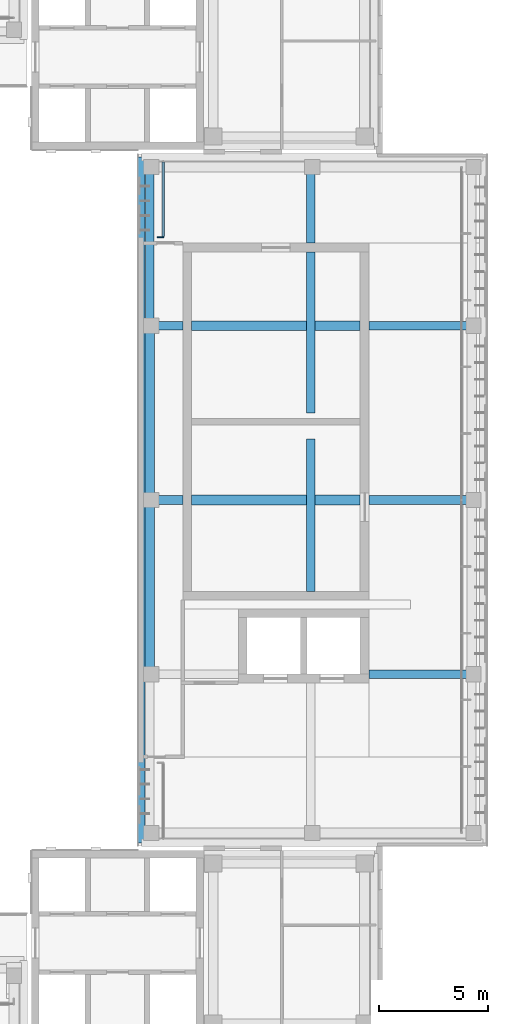
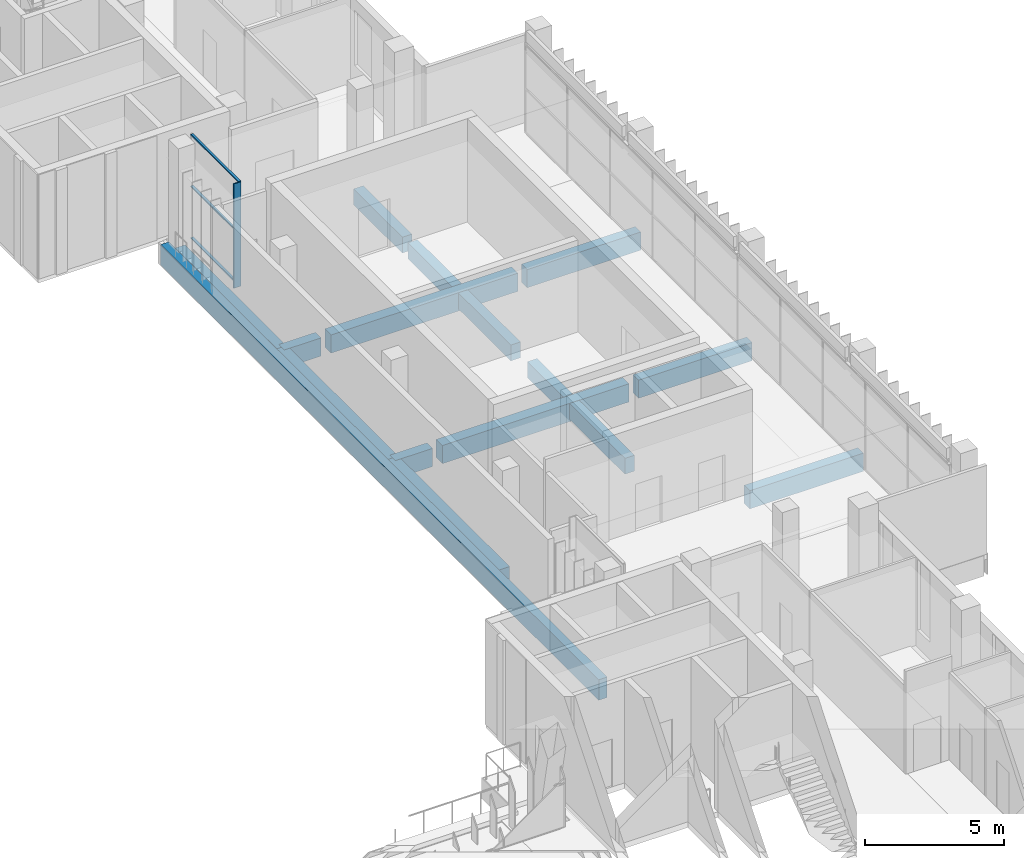
# One storey, part 28 of 73: 14 beams, 4 members, 1 element without a shape of its own.
"""IFC4 building model written with IfcOpenShell, lengths in metres."""

import ifcopenshell
import ifcopenshell.guid

model = None  # the IFC model being written
_history = None  # IfcOwnerHistory: only IFC2X3 demands one
_inside = {}  # id of a spatial element -> (the spatial element, [elements in it])
_under = {}  # id of a project, library or spatial element -> (it, [spatial elements below it])
_declared = {}  # id of a project -> (the project, [libraries it declares])
_typed = {}  # id of a type object -> (the type object, [elements of that type])
_made_of = {}  # id of a material, layer set ... -> (it, [elements and type objects made of it])


def new_model(schema):
    """Start an empty IFC model of exactly this schema.

    Asked for "IFC4X3", IfcOpenShell would pick the latest addendum, in which some entities
    have other attributes; the version numbers below select the first issue.
    IFC2X3 requires an IfcOwnerHistory on every rooted entity: one is made here for all.
    """
    global model, _history
    if schema == "IFC4X3":
        model = ifcopenshell.file(schema_version=(4, 3, 0, 0))
    else:
        model = ifcopenshell.file(schema=schema)
    _inside.clear()
    _under.clear()
    _declared.clear()
    _typed.clear()
    _made_of.clear()
    _history = None
    if model.schema == "IFC2X3":
        org = make("IfcOrganization", Name="unknown")
        user = make(
            "IfcPersonAndOrganization",
            ThePerson=make("IfcPerson", FamilyName="unknown"),
            TheOrganization=org,
        )
        app = make(
            "IfcApplication",
            ApplicationDeveloper=org,
            Version="unknown",
            ApplicationFullName="unknown",
            ApplicationIdentifier="unknown",
        )
        _history = make(
            "IfcOwnerHistory",
            OwningUser=user,
            OwningApplication=app,
            ChangeAction="ADDED",
            CreationDate=0,
        )
    return model


def make(cls, **values):
    """One entity of the class cls with the attributes given. An attribute that is None is left unset."""
    return model.create_entity(
        cls, **{name: value for name, value in values.items() if value is not None}
    )


def rooted(cls, **values):
    """An entity with a GlobalId (a new one), such as an element, a storey or a relation."""
    return make(cls, GlobalId=ifcopenshell.guid.new(), OwnerHistory=_history, **values)


def si_unit(unit_type, name, prefix=None):
    """IfcSIUnit, for example si_unit("LENGTHUNIT", "METRE", prefix="MILLI")."""
    return make("IfcSIUnit", UnitType=unit_type, Prefix=prefix, Name=name)


def assignment(units):
    """IfcUnitAssignment: the units of a project."""
    return None if units is None else make("IfcUnitAssignment", Units=units)


def point(xyz):
    """IfcCartesianPoint."""
    return None if xyz is None else make("IfcCartesianPoint", Coordinates=xyz)


def direction(xyz):
    """IfcDirection."""
    return None if xyz is None else make("IfcDirection", DirectionRatios=xyz)


def frame(location, z_axis=None, x_axis=None):
    """IfcAxis2Placement3D, a coordinate frame: its origin and axes. An axis left out is left unset."""
    return make(
        "IfcAxis2Placement3D",
        Location=point(location),
        Axis=direction(z_axis),
        RefDirection=direction(x_axis),
    )


def frame_2d(location, x_axis=None):
    """IfcAxis2Placement2D, a coordinate frame in the plane: its origin and x axis."""
    return make(
        "IfcAxis2Placement2D", Location=point(location), RefDirection=direction(x_axis)
    )


def origin():
    """The frame at (0, 0, 0) with its axes left unset."""
    return frame((0.0, 0.0, 0.0))


def origin_2d():
    """The frame at (0, 0) in the plane with its x axis left unset."""
    return frame_2d((0.0, 0.0))


def place(relative_to, where):
    """IfcLocalPlacement: puts the frame where relative to a parent placement (None: the world)."""
    return make(
        "IfcLocalPlacement", PlacementRelTo=relative_to, RelativePlacement=where
    )


def context(
    kind, dimensions, precision=None, world=None, true_north=None, identifier=None
):
    """IfcGeometricRepresentationContext, for example the 3D "Model" context."""
    return make(
        "IfcGeometricRepresentationContext",
        ContextIdentifier=identifier,
        ContextType=kind,
        CoordinateSpaceDimension=dimensions,
        Precision=precision,
        WorldCoordinateSystem=world,
        TrueNorth=true_north,
    )


def subcontext(parent, identifier, kind, view, scale=None):
    """IfcGeometricRepresentationSubContext, for example "Body" below "Model"."""
    return make(
        "IfcGeometricRepresentationSubContext",
        ContextIdentifier=identifier,
        ContextType=kind,
        ParentContext=parent,
        TargetScale=scale,
        TargetView=view,
    )


def project(units=None, contexts=None):
    """IfcProject with its units and contexts."""
    return rooted(
        "IfcProject",
        Name="project",
        RepresentationContexts=contexts,
        UnitsInContext=assignment(units),
    )


def spatial(cls, under=None, at=None, **own):
    """A site, building, storey or space (cls), placed at a placement, below another one or the project."""
    s = rooted(cls, ObjectPlacement=at, **own)
    if under is not None:
        _under.setdefault(under.id(), (under, []))[1].append(s)
    return s


def profile(cls, at=None, kind="AREA", **sizes):
    """A parametric profile (cls). Its sizes go by their IFC names, for example OverallWidth=200.0."""
    return make(cls, ProfileType=kind, Position=at, **sizes)


def rectangle(**sizes):
    """IfcRectangleProfileDef."""
    return profile("IfcRectangleProfileDef", **sizes)


def extrude(swept, where, along, depth):
    """IfcExtrudedAreaSolid: the profile swept, set in the frame where, extruded along a direction by depth."""
    return make(
        "IfcExtrudedAreaSolid",
        SweptArea=swept,
        Position=where,
        ExtrudedDirection=direction(along),
        Depth=depth,
    )


def shape(context_of_items, identifier, shape_type, items):
    """IfcShapeRepresentation: the items that make up one representation, for example the "Body"."""
    return make(
        "IfcShapeRepresentation",
        ContextOfItems=context_of_items,
        RepresentationIdentifier=identifier,
        RepresentationType=shape_type,
        Items=items,
    )


def material(Name=None, Category=None):
    """IfcMaterial."""
    return make("IfcMaterial", Name=Name, Category=Category)


def material_profile(
    of_material, cross_section, Name=None, Category=None, Priority=None
):
    """IfcMaterialProfile: a cross section and its material."""
    return make(
        "IfcMaterialProfile",
        Name=Name,
        Material=of_material,
        Profile=cross_section,
        Priority=Priority,
        Category=Category,
    )


def profile_set(profiles, Name=None, composite=None):
    """IfcMaterialProfileSet."""
    return make(
        "IfcMaterialProfileSet",
        Name=Name,
        MaterialProfiles=profiles,
        CompositeProfile=composite,
    )


def made_of(thing, what):
    """Note that an element or type object is made of a material, layer set ...; save() writes the relation."""
    if what is not None:
        _made_of.setdefault(what.id(), (what, []))[1].append(thing)
    return thing


def type_object(cls, material=None, **own):
    """A type object (cls), such as IfcWallType, which elements share."""
    return made_of(rooted(cls, **own), material)


def element(
    cls,
    number,
    at=None,
    inside=None,
    cuts=None,
    type_object=None,
    material=None,
    context=None,
    identifier="Body",
    shape_type=None,
    held_by="IfcProductDefinitionShape",
    body=None,
    shapes=None,
    **own,
):
    """One element of the class cls, such as IfcWall. Its Tag is "e" and its number.

    at: its placement. inside: the storey or other place that contains it. cuts: it is an
    opening in that element (IfcRelVoidsElement). A single representation is given by context,
    identifier, shape_type and body (its items); several are given by shapes. held_by: the class
    of the entity that holds the representations. save() writes the other relations.
    """
    e = rooted(cls, Tag="e%d" % number, ObjectPlacement=at, **own)
    if body is not None:
        shapes = [shape(context, identifier, shape_type, body)]
    if shapes is not None:
        e.Representation = make(held_by, Representations=shapes)
    if inside is not None:
        _inside.setdefault(inside.id(), (inside, []))[1].append(e)
    if cuts is not None:
        rooted(
            "IfcRelVoidsElement", RelatingBuildingElement=cuts, RelatedOpeningElement=e
        )
    if type_object is not None:
        _typed.setdefault(type_object.id(), (type_object, []))[1].append(e)
    return made_of(e, material)


def aggregate(whole, parts):
    """IfcRelAggregates: a whole, such as a stair, and the parts it consists of."""
    return rooted("IfcRelAggregates", RelatingObject=whole, RelatedObjects=parts)


def save(model, path):
    """Write the relations noted so far, then the file.

    IfcRelAggregates (storeys below a building ...), IfcRelContainedInSpatialStructure (elements
    in a storey), IfcRelDefinesByType, IfcRelAssociatesMaterial and IfcRelDeclares: one each for
    every whole, place, type object, material and project.
    """
    for whole, parts in _under.values():
        aggregate(whole, parts)
    for where, things in _inside.values():
        rooted(
            "IfcRelContainedInSpatialStructure",
            RelatedElements=things,
            RelatingStructure=where,
        )
    for kind, things in _typed.values():
        rooted("IfcRelDefinesByType", RelatedObjects=things, RelatingType=kind)
    for what, things in _made_of.values():
        rooted("IfcRelAssociatesMaterial", RelatedObjects=things, RelatingMaterial=what)
    for by, libraries in _declared.values():
        rooted("IfcRelDeclares", RelatingContext=by, RelatedDefinitions=libraries)
    model.write(path)


model = new_model("IFC4")

# Units and contexts
model_context = context("Model", 3, precision=1e-05, world=origin(), true_north=direction((0.0, 1.0)))
body_context = subcontext(model_context, "Body", "Model", "MODEL_VIEW")
ifc_project = project(units=[si_unit("LENGTHUNIT", "METRE"), si_unit("AREAUNIT", "SQUARE_METRE"), si_unit("VOLUMEUNIT", "CUBIC_METRE"), si_unit("PLANEANGLEUNIT", "RADIAN"), si_unit("MASSUNIT", "GRAM", prefix="KILO")], contexts=[model_context])

# Site, building, storey
site_placement = place(None, origin())
site = spatial("IfcSite", under=ifc_project, at=site_placement, CompositionType="ELEMENT")
building_placement = place(site_placement, origin())
building = spatial("IfcBuilding", under=site, at=building_placement, Name="Lantern Court Media Centre", CompositionType="ELEMENT")
storey_placement = place(building_placement, frame((0.0, 0.0, 24.0)))
storey = spatial("IfcBuildingStorey", under=building, at=storey_placement, Name="L05", CompositionType="ELEMENT", Elevation=24.0)

# Curtain wall, members
ifc_material_1 = material(Name="Curtain wall bay 2400")
curtain_wall_type = type_object("IfcCurtainWallType", Name="Curtain wall bay 2400", PredefinedType="NOTDEFINED", material=ifc_material_1)
curtain_wall_placement = place(storey_placement, origin())
curtain_wall = element("IfcCurtainWall", 1, at=curtain_wall_placement, inside=storey, type_object=curtain_wall_type, Name="Curtain wall E inner L05", PredefinedType="NOTDEFINED")
ifc_material_2 = material(Name="Anodised aluminium", Category="aluminium")
ifc_material_profile_1 = material_profile(ifc_material_2, rectangle(XDim=0.300048828125, YDim=0.050048828125, at=origin_2d()), Name="AL 50x300")
ifc_profile_set_1 = profile_set([ifc_material_profile_1], Name="Anodised aluminium")
member_type_1 = type_object("IfcMemberType", Name="Curtain wall mullion 50x300", PredefinedType="MULLION", material=ifc_profile_set_1)
member_1_placement = place(storey_placement, frame((86.030029296875, 92.074951171875, 0.0), z_axis=(0.0, 0.0, 1.0), x_axis=(-1.0, 0.0, 0.0)))
member_1 = element("IfcMember", 2, at=member_1_placement, type_object=member_type_1, Name="CW2 mullion 1", PredefinedType="MULLION", context=body_context, shape_type="SweptSolid", body=[
    extrude(rectangle(XDim=0.300048828125, YDim=0.050048828125, at=origin_2d()), origin(), (0.0, 0.0, 1.0), 4.580078125),
])
ifc_material_profile_2 = material_profile(ifc_material_2, rectangle(XDim=0.10009765625, YDim=0.050048828125, at=origin_2d()), Name="AL 50x100")
ifc_profile_set_2 = profile_set([ifc_material_profile_2], Name="Anodised aluminium")
member_type_2 = type_object("IfcMemberType", Name="Curtain wall transom 100x50", PredefinedType="USERDEFINED", material=ifc_profile_set_2)
member_2_placement = place(storey_placement, frame((86.14990234375, 92.10009765625, 0.02490234375), z_axis=(0.0, 1.0, 0.0), x_axis=(-1.0, 0.0, 0.0)))
member_2 = element("IfcMember", 3, at=member_2_placement, type_object=member_type_2, Name="CW2 transom 1.1", ObjectType="TRANSOM", PredefinedType="USERDEFINED", context=body_context, shape_type="SweptSolid", body=[
    extrude(rectangle(XDim=0.10009765625, YDim=0.050048828125, at=origin_2d()), origin(), (0.0, 0.0, 1.0), 3.429931640625),
])
member_3_placement = place(storey_placement, frame((86.14990234375, 92.10009765625, 2.2900390625), z_axis=(0.0, 1.0, 0.0), x_axis=(-1.0, 0.0, 0.0)))
member_3 = element("IfcMember", 4, at=member_3_placement, type_object=member_type_2, Name="CW2 transom 1.2", ObjectType="TRANSOM", PredefinedType="USERDEFINED", context=body_context, shape_type="SweptSolid", body=[
    extrude(rectangle(XDim=0.10009765625, YDim=0.050048828125, at=origin_2d()), origin(), (0.0, 0.0, 1.0), 3.429931640625),
])
member_4_placement = place(storey_placement, frame((86.14990234375, 92.10009765625, 4.554931640625), z_axis=(0.0, 1.0, 0.0), x_axis=(-1.0, 0.0, 0.0)))
member_4 = element("IfcMember", 5, at=member_4_placement, type_object=member_type_2, Name="CW2 transom 1.3", ObjectType="TRANSOM", PredefinedType="USERDEFINED", context=body_context, shape_type="SweptSolid", body=[
    extrude(rectangle(XDim=0.10009765625, YDim=0.050048828125, at=origin_2d()), origin(), (0.0, 0.0, 1.0), 3.429931640625),
])
aggregate(curtain_wall, [member_1, member_2, member_3, member_4])

# Beams
ifc_material_3 = material(Name="Concrete C35", Category="concrete")
ifc_material_profile_3 = material_profile(ifc_material_3, rectangle(XDim=0.35009765625, YDim=0.89990234375, at=origin_2d()), Name="RC 350x900")
ifc_profile_set_3 = profile_set([ifc_material_profile_3], Name="Concrete C35")
beam_type_1 = type_object("IfcBeamType", Name="RC BEAM 350x900", PredefinedType="BEAM", material=ifc_profile_set_3)
beam_1_placement = place(storey_placement, frame((85.14990234375, 64.25, -0.449951171875), z_axis=(0.0, 1.0, 0.0), x_axis=(-1.0, 0.0, 0.0)))
element("IfcBeam", 6, at=beam_1_placement, inside=storey, type_object=beam_type_1, Name="EB-E-L05-A", PredefinedType="BEAM", context=body_context, shape_type="SweptSolid", body=[
    extrude(rectangle(XDim=0.35009765625, YDim=0.89990234375, at=origin_2d()), origin(), (0.0, 0.0, 1.0), 31.5),
])
ifc_material_profile_4 = material_profile(ifc_material_3, rectangle(XDim=0.39990234375, YDim=0.699951171875, at=origin_2d()), Name="RC 400x700")
ifc_profile_set_4 = profile_set([ifc_material_profile_4], Name="Concrete C35")
beam_type_2 = type_object("IfcBeamType", Name="RC BEAM 400x700", PredefinedType="BEAM", material=ifc_profile_set_4)
beam_2_placement = place(storey_placement, frame((85.527099609375, 88.0, -0.35009765625), z_axis=(0.0, 1.0, 0.0), x_axis=(-1.0, 0.0, 0.0)))
element("IfcBeam", 7, at=beam_2_placement, inside=storey, type_object=beam_type_2, Name="LB-E-L05-0-3", PredefinedType="BEAM", context=body_context, shape_type="SweptSolid", body=[
    extrude(rectangle(XDim=0.39990234375, YDim=0.699951171875, at=origin_2d()), origin(), (0.0, 0.0, 1.0), 7.300048828125),
])
beam_3_placement = place(storey_placement, frame((92.927001953125, 75.800048828125, -0.35009765625), z_axis=(0.0, 1.0, 0.0), x_axis=(-1.0, 0.0, 0.0)))
element("IfcBeam", 8, at=beam_3_placement, inside=storey, type_object=beam_type_2, Name="LB-E-L05-1-01", PredefinedType="BEAM", context=body_context, shape_type="SweptSolid", body=[
    extrude(rectangle(XDim=0.39990234375, YDim=0.699951171875, at=origin_2d()), origin(), (0.0, 0.0, 1.0), 7.0),
])
beam_4_placement = place(storey_placement, frame((92.927001953125, 84.0, -0.35009765625), z_axis=(0.0, 1.0, 0.0), x_axis=(-1.0, 0.0, 0.0)))
element("IfcBeam", 9, at=beam_4_placement, inside=storey, type_object=beam_type_2, Name="LB-E-L05-1-02", PredefinedType="BEAM", context=body_context, shape_type="SweptSolid", body=[
    extrude(rectangle(XDim=0.39990234375, YDim=0.699951171875, at=origin_2d()), origin(), (0.0, 0.0, 1.0), 7.39990234375),
])
beam_5_placement = place(storey_placement, frame((92.927001953125, 91.800048828125, -0.35009765625), z_axis=(0.0, 1.0, 0.0), x_axis=(-1.0, 0.0, 0.0)))
element("IfcBeam", 10, at=beam_5_placement, inside=storey, type_object=beam_type_2, Name="LB-E-L05-1-03", PredefinedType="BEAM", context=body_context, shape_type="SweptSolid", body=[
    extrude(rectangle(XDim=0.39990234375, YDim=0.699951171875, at=origin_2d()), origin(), (0.0, 0.0, 1.0), 3.5),
])
ifc_material_profile_5 = material_profile(ifc_material_3, rectangle(XDim=0.39990234375, YDim=0.800048828125, at=origin_2d()), Name="RC 400x800")
ifc_profile_set_5 = profile_set([ifc_material_profile_5], Name="Concrete C35")
beam_type_3 = type_object("IfcBeamType", Name="RC BEAM 400x800", PredefinedType="BEAM", material=ifc_profile_set_5)
beam_6_placement = place(storey_placement, frame((95.60009765625, 72.0, -0.39990234375), z_axis=(1.0, 0.0, 0.0), x_axis=(0.0, 1.0, 0.0)))
element("IfcBeam", 11, at=beam_6_placement, inside=storey, type_object=beam_type_3, Name="TB-E-L05-1-11", PredefinedType="BEAM", context=body_context, shape_type="SweptSolid", body=[
    extrude(rectangle(XDim=0.39990234375, YDim=0.800048828125, at=origin_2d()), origin(), (0.0, 0.0, 1.0), 4.716552734375),
])
beam_7_placement = place(storey_placement, frame((85.5166015625, 80.0, -0.39990234375), z_axis=(1.0, 0.0, 0.0), x_axis=(0.0, 1.0, 0.0)))
element("IfcBeam", 12, at=beam_7_placement, inside=storey, type_object=beam_type_3, Name="TB-E-L05-2-1", PredefinedType="BEAM", context=body_context, shape_type="SweptSolid", body=[
    extrude(rectangle(XDim=0.39990234375, YDim=0.800048828125, at=origin_2d()), origin(), (0.0, 0.0, 1.0), 1.533447265625),
])
beam_8_placement = place(storey_placement, frame((95.60009765625, 80.0, -0.39990234375), z_axis=(1.0, 0.0, 0.0), x_axis=(0.0, 1.0, 0.0)))
element("IfcBeam", 13, at=beam_8_placement, inside=storey, type_object=beam_type_3, Name="TB-E-L05-2-12", PredefinedType="BEAM", context=body_context, shape_type="SweptSolid", body=[
    extrude(rectangle(XDim=0.39990234375, YDim=0.800048828125, at=origin_2d()), origin(), (0.0, 0.0, 1.0), 4.716552734375),
])
beam_9_placement = place(storey_placement, frame((85.5166015625, 88.0, -0.39990234375), z_axis=(1.0, 0.0, 0.0), x_axis=(0.0, 1.0, 0.0)))
element("IfcBeam", 14, at=beam_9_placement, inside=storey, type_object=beam_type_3, Name="TB-E-L05-3-1", PredefinedType="BEAM", context=body_context, shape_type="SweptSolid", body=[
    extrude(rectangle(XDim=0.39990234375, YDim=0.800048828125, at=origin_2d()), origin(), (0.0, 0.0, 1.0), 1.533447265625),
])
beam_10_placement = place(storey_placement, frame((95.60009765625, 88.0, -0.39990234375), z_axis=(1.0, 0.0, 0.0), x_axis=(0.0, 1.0, 0.0)))
element("IfcBeam", 15, at=beam_10_placement, inside=storey, type_object=beam_type_3, Name="TB-E-L05-3-12", PredefinedType="BEAM", context=body_context, shape_type="SweptSolid", body=[
    extrude(rectangle(XDim=0.39990234375, YDim=0.800048828125, at=origin_2d()), origin(), (0.0, 0.0, 1.0), 4.716552734375),
])
ifc_material_profile_6 = material_profile(ifc_material_3, rectangle(XDim=0.449951171875, YDim=0.699951171875, at=origin_2d()), Name="RC 450x700")
ifc_profile_set_6 = profile_set([ifc_material_profile_6], Name="Concrete C35")
beam_type_4 = type_object("IfcBeamType", Name="RC BEAM 450x700", PredefinedType="BEAM", material=ifc_profile_set_6)
for number, where, z_axis, x_axis, name in (
    (16, (85.527099609375, 72.0, -0.35009765625), (0.0, 1.0, 0.0), (-1.0, 0.0, 0.0), "LB-E-L05-0-1"),
    (17, (85.527099609375, 80.0, -0.35009765625), (0.0, 1.0, 0.0), (-1.0, 0.0, 0.0), "LB-E-L05-0-2"),
):
    element("IfcBeam", number, at=place(storey_placement, frame(where, z_axis=z_axis, x_axis=x_axis)), inside=storey, type_object=beam_type_4, Name=name, PredefinedType="BEAM", context=body_context, shape_type="SweptSolid", body=[
        extrude(rectangle(XDim=0.449951171875, YDim=0.699951171875, at=origin_2d()), origin(), (0.0, 0.0, 1.0), 8.0),
    ])
ifc_material_profile_7 = material_profile(ifc_material_3, rectangle(XDim=0.449951171875, YDim=0.800048828125, at=origin_2d()), Name="RC 450x800")
ifc_profile_set_7 = profile_set([ifc_material_profile_7], Name="Concrete C35")
beam_type_5 = type_object("IfcBeamType", Name="RC BEAM 450x800", PredefinedType="BEAM", material=ifc_profile_set_7)
for number, where, z_axis, x_axis, name in (
    (18, (87.449951171875, 80.0, -0.39990234375), (1.0, 0.0, 0.0), (0.0, 1.0, 0.0), "TB-E-L05-2-11"),
    (19, (87.449951171875, 88.0, -0.39990234375), (1.0, 0.0, 0.0), (0.0, 1.0, 0.0), "TB-E-L05-3-11"),
):
    element("IfcBeam", number, at=place(storey_placement, frame(where, z_axis=z_axis, x_axis=x_axis)), inside=storey, type_object=beam_type_5, Name=name, PredefinedType="BEAM", context=body_context, shape_type="SweptSolid", body=[
        extrude(rectangle(XDim=0.449951171875, YDim=0.800048828125, at=origin_2d()), origin(), (0.0, 0.0, 1.0), 7.75),
    ])

save(model, "model.ifc")
